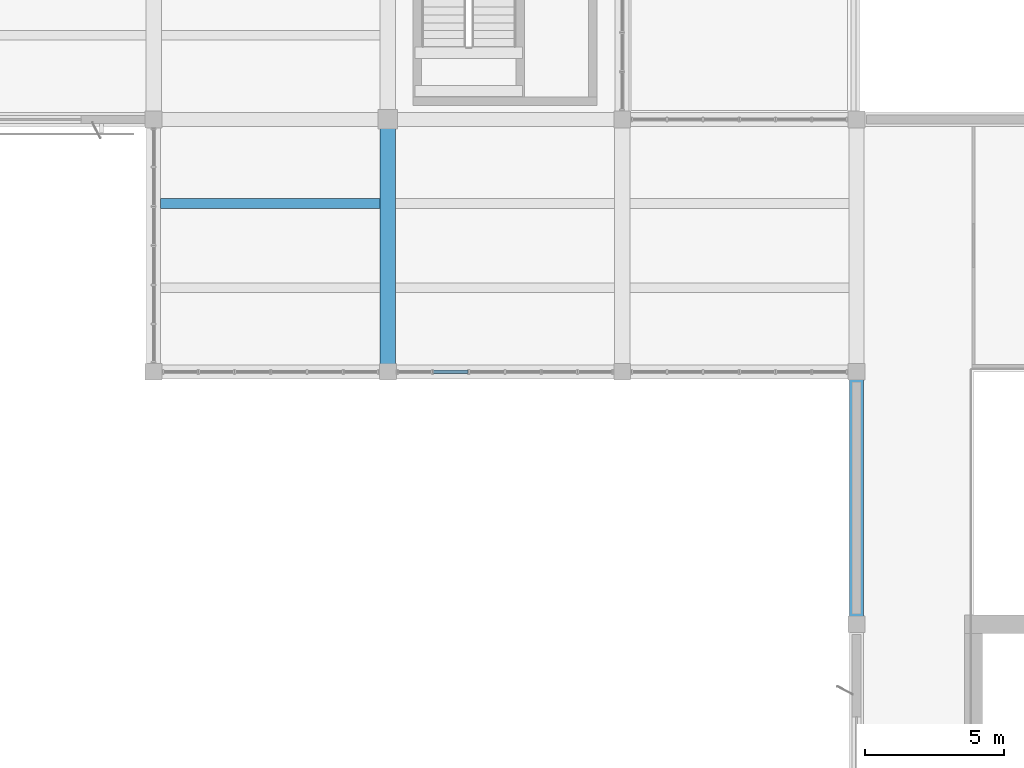
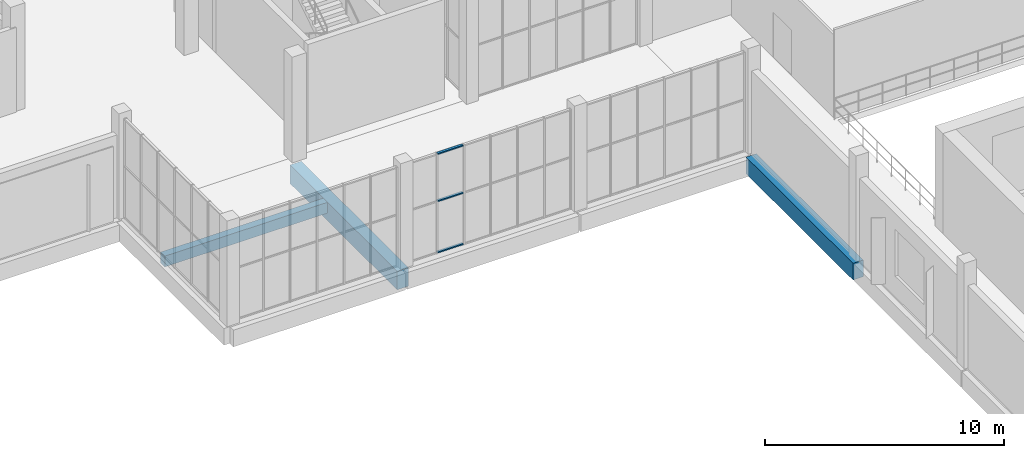
# One storey, part 76 of 132: 3 beams, 3 members, 1 element without a shape of its own.
"""IFC4 building model written with IfcOpenShell, lengths in metres."""

from ifc_helpers import new_model, si_unit, direction, frame, origin, origin_2d, place, context, subcontext, project, spatial, rectangle, hollow_rectangle, extrude, material, material_profile, profile_set, type_object, element, aggregate, save


model = new_model("IFC4")

# Units and contexts
model_context = context("Model", 3, precision=1e-05, world=origin(), true_north=direction((0.0, 1.0)))
body_context = subcontext(model_context, "Body", "Model", "MODEL_VIEW")
ifc_project = project(units=[si_unit("LENGTHUNIT", "METRE"), si_unit("AREAUNIT", "SQUARE_METRE"), si_unit("VOLUMEUNIT", "CUBIC_METRE"), si_unit("PLANEANGLEUNIT", "RADIAN"), si_unit("MASSUNIT", "GRAM", prefix="KILO")], contexts=[model_context])

# Site, building, storey
site_placement = place(None, origin())
site = spatial("IfcSite", under=ifc_project, at=site_placement, CompositionType="ELEMENT")
building_placement = place(site_placement, origin())
building = spatial("IfcBuilding", under=site, at=building_placement, Name="Khurvash Pelagic Aquarium", CompositionType="ELEMENT")
storey_placement = place(building_placement, frame((0.0, 0.0, 5.39990234375)))
storey = spatial("IfcBuildingStorey", under=building, at=storey_placement, Name="L01", CompositionType="ELEMENT", Elevation=5.39990234375)

# Beam
ifc_material_1 = material(Name="Concrete C40/50", Category="concrete")
ifc_material_profile_1 = material_profile(ifc_material_1, rectangle(XDim=0.550048828125, YDim=0.949951171875, at=origin_2d()), Name="RC550X950")
ifc_profile_set_1 = profile_set([ifc_material_profile_1], Name="Concrete C40/50")
beam_type_1 = type_object("IfcBeamType", Name="BM-02", PredefinedType="BEAM", material=ifc_profile_set_1)
beam_1_placement = place(storey_placement, frame((109.199951171875, 75.0400390625, -0.784912109375), z_axis=(0.0, 1.0, 0.0), x_axis=(-1.0, 0.0, 0.0)))
element("IfcBeam", 1, at=beam_1_placement, inside=storey, type_object=beam_type_1, Name="L01 Primary Girder BM-02 00421", PredefinedType="BEAM", context=body_context, shape_type="SweptSolid", body=[
    extrude(rectangle(XDim=0.550048828125, YDim=0.949951171875, at=origin_2d()), origin(), (0.0, 0.0, 1.0), 8.969970703125),
])

# Curtain wall, members
ifc_material_2 = material(Name="Anodised aluminium and low-E laminated glass", Category="aluminium")
curtain_wall_type = type_object("IfcCurtainWallType", Name="CW-05", PredefinedType="USERDEFINED", material=ifc_material_2)
curtain_wall_placement = place(storey_placement, origin())
curtain_wall = element("IfcCurtainWall", 2, at=curtain_wall_placement, inside=storey, type_object=curtain_wall_type, Name="L01 Facade Unitised Curtain Wall CW-05 0142", ObjectType="UNITISED CURTAIN WALL", PredefinedType="USERDEFINED")
ifc_material_3 = material(Name="Extruded aluminium AW-6063-T6", Category="aluminium")
ifc_material_profile_2 = material_profile(ifc_material_3, hollow_rectangle(XDim=0.1201171875, YDim=0.06005859375, WallThickness=0.00390625, at=origin_2d()), Name="CWT120X60X4")
ifc_profile_set_2 = profile_set([ifc_material_profile_2], Name="Extruded aluminium AW-6063-T6")
member_type = type_object("IfcMemberType", Name="CT-02", PredefinedType="USERDEFINED", material=ifc_profile_set_2)
member_1_placement = place(storey_placement, frame((110.833251953125, 75.0, 0.030029296875), z_axis=(1.0, 0.0, 0.0), x_axis=(0.0, 1.0, 0.0)))
member_1 = element("IfcMember", 3, at=member_1_placement, type_object=member_type, Name="CW-05 transom 2.1", ObjectType="TRANSOM", PredefinedType="USERDEFINED", context=body_context, shape_type="SweptSolid", body=[
    extrude(hollow_rectangle(XDim=0.1201171875, YDim=0.06005859375, WallThickness=0.00390625, at=origin_2d()), origin(), (0.0, 0.0, 1.0), 1.238525390625),
])
member_2_placement = place(storey_placement, frame((110.833251953125, 75.0, 2.652099609375), z_axis=(1.0, 0.0, 0.0), x_axis=(0.0, 1.0, 0.0)))
member_2 = element("IfcMember", 4, at=member_2_placement, type_object=member_type, Name="CW-05 transom 2.2", ObjectType="TRANSOM", PredefinedType="USERDEFINED", context=body_context, shape_type="SweptSolid", body=[
    extrude(hollow_rectangle(XDim=0.1201171875, YDim=0.06005859375, WallThickness=0.00390625, at=origin_2d()), origin(), (0.0, 0.0, 1.0), 1.238525390625),
])
member_3_placement = place(storey_placement, frame((110.833251953125, 75.0, 5.070068359375), z_axis=(1.0, 0.0, 0.0), x_axis=(0.0, 1.0, 0.0)))
member_3 = element("IfcMember", 5, at=member_3_placement, type_object=member_type, Name="CW-05 transom 2.3", ObjectType="TRANSOM", PredefinedType="USERDEFINED", context=body_context, shape_type="SweptSolid", body=[
    extrude(hollow_rectangle(XDim=0.1201171875, YDim=0.06005859375, WallThickness=0.00390625, at=origin_2d()), origin(), (0.0, 0.0, 1.0), 1.238525390625),
])
aggregate(curtain_wall, [member_1, member_2, member_3])

# Beams
ifc_material_4 = material(Name="Concrete C35/45", Category="concrete")
ifc_material_profile_3 = material_profile(ifc_material_4, rectangle(XDim=0.35009765625, YDim=0.550048828125, at=origin_2d()), Name="RC350X550")
ifc_profile_set_3 = profile_set([ifc_material_profile_3], Name="Concrete C35/45")
beam_type_2 = type_object("IfcBeamType", Name="JS-01", PredefinedType="JOIST", material=ifc_profile_set_3)
beam_2_placement = place(storey_placement, frame((101.050048828125, 81.032958984375, -0.5849609375), z_axis=(1.0, 0.0, 0.0), x_axis=(0.0, 1.0, 0.0)))
element("IfcBeam", 6, at=beam_2_placement, inside=storey, type_object=beam_type_2, Name="L01 Floor Joist JS-01 00547", PredefinedType="JOIST", context=body_context, shape_type="SweptSolid", body=[
    extrude(rectangle(XDim=0.35009765625, YDim=0.550048828125, at=origin_2d()), origin(), (0.0, 0.0, 1.0), 7.875),
])
ifc_material_profile_4 = material_profile(ifc_material_1, rectangle(XDim=0.5, YDim=0.85009765625, at=origin_2d()), Name="RC500X850")
ifc_profile_set_4 = profile_set([ifc_material_profile_4], Name="Concrete C40/50")
beam_type_3 = type_object("IfcBeamType", Name="SEB-03", PredefinedType="SPANDREL", material=ifc_profile_set_4)
beam_3_placement = place(storey_placement, frame((126.0, 65.989990234375, -0.73486328125), z_axis=(0.0, 1.0, 0.0), x_axis=(-1.0, 0.0, 0.0)))
element("IfcBeam", 7, at=beam_3_placement, inside=storey, type_object=beam_type_3, Name="L01 Primary Girder SEB-03 00433", PredefinedType="SPANDREL", context=body_context, shape_type="SweptSolid", body=[
    extrude(rectangle(XDim=0.5, YDim=0.85009765625, at=origin_2d()), origin(), (0.0, 0.0, 1.0), 8.969970703125),
])

save(model, "model.ifc")
